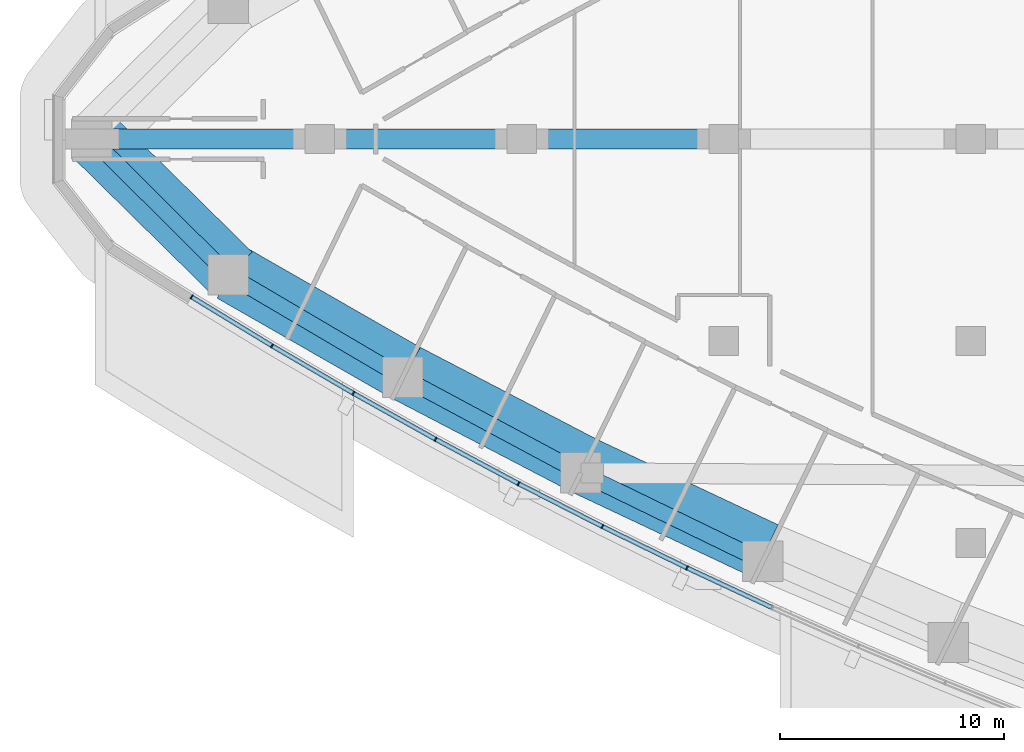
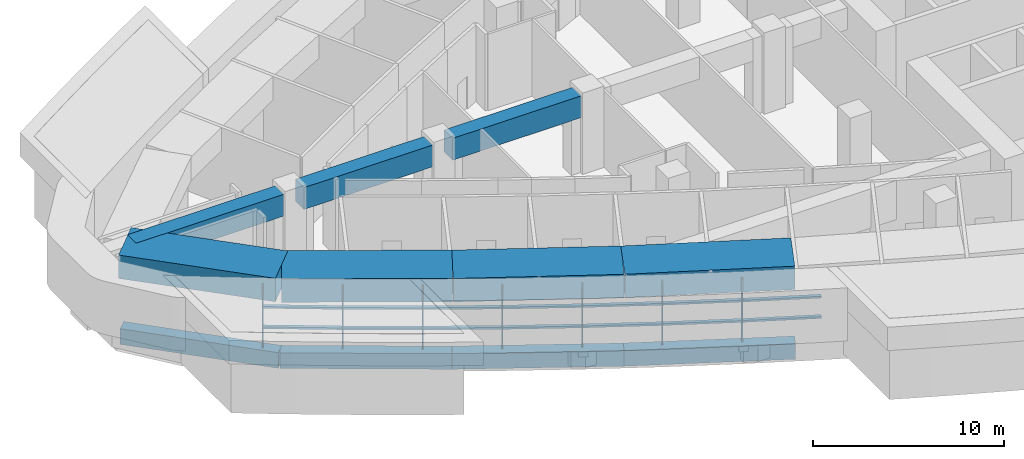
# One storey, part 2 of 17: 21 members, 11 beams, 3 elements without a shape of their own.
"""IFC4 building model written with IfcOpenShell, lengths in metres."""

from ifc_helpers import new_model, si_unit, direction, frame, origin, origin_2d, place, context, subcontext, project, spatial, rectangle, extrude, material, layer, layer_set, material_profile, profile_set, type_object, element, aggregate, save


model = new_model("IFC4")

# Units and contexts
model_context = context("Model", 3, precision=1e-05, world=origin(), true_north=direction((0.0, 1.0)))
body_context = subcontext(model_context, "Body", "Model", "MODEL_VIEW")
ifc_project = project(units=[si_unit("LENGTHUNIT", "METRE"), si_unit("AREAUNIT", "SQUARE_METRE"), si_unit("VOLUMEUNIT", "CUBIC_METRE"), si_unit("PLANEANGLEUNIT", "RADIAN"), si_unit("MASSUNIT", "GRAM", prefix="KILO")], contexts=[model_context])

# Site, building, storey
site_placement = place(None, origin())
site = spatial("IfcSite", under=ifc_project, at=site_placement, CompositionType="ELEMENT")
building_placement = place(site_placement, origin())
building = spatial("IfcBuilding", under=site, at=building_placement, Name="Ostrand Prow Hotel Tower", CompositionType="ELEMENT")
storey_placement = place(building_placement, frame((0.0, 0.0, 75.10009765625)))
storey = spatial("IfcBuildingStorey", under=building, at=storey_placement, Name="L17", CompositionType="ELEMENT", Elevation=75.10009765625)

# Beams
ifc_material_1 = material(Name="Concrete C80/95", Category="concrete")
ifc_material_profile_1 = material_profile(ifc_material_1, rectangle(XDim=2.60009765625, YDim=1.5, at=origin_2d()), Name="RC 2600x1500")
ifc_profile_set_1 = profile_set([ifc_material_profile_1], Name="Concrete C80/95")
beam_type_1 = type_object("IfcBeamType", Name="Belt girder 2600x1500 C80/95", PredefinedType="BEAM", material=ifc_profile_set_1)
beam_1_placement = place(storey_placement, frame((6.020751953125, 0.0, 4.14990234375), z_axis=(0.712632252093, -0.701537791767, 0.0), x_axis=(0.701537791767, 0.712632252093, 0.0)))
element("IfcBeam", 1, at=beam_1_placement, inside=storey, type_object=beam_type_1, Name="Belt girder P-S1", PredefinedType="BEAM", context=body_context, shape_type="SweptSolid", body=[
    extrude(rectangle(XDim=2.60009765625, YDim=1.5, at=origin_2d()), origin(), (0.0, 0.0, 1.0), 8.494140625),
])
beam_2_placement = place(storey_placement, frame((12.073974609375, -5.958984375, 4.14990234375), z_axis=(0.867604357802, -0.497255144089, 0.0), x_axis=(0.497255144089, 0.867604357802, 0.0)))
element("IfcBeam", 2, at=beam_2_placement, inside=storey, type_object=beam_type_1, Name="Belt girder S1-S2", PredefinedType="BEAM", context=body_context, shape_type="SweptSolid", body=[
    extrude(rectangle(XDim=2.60009765625, YDim=1.5, at=origin_2d()), origin(), (0.0, 0.0, 1.0), 8.947509765625),
])
beam_3_placement = place(storey_placement, frame((19.8369140625, -10.408203125, 4.14990234375), z_axis=(0.886797371481, -0.46215843813, 0.0), x_axis=(0.46215843813, 0.886797371481, 0.0)))
element("IfcBeam", 3, at=beam_3_placement, inside=storey, type_object=beam_type_1, Name="Belt girder S2-S3", PredefinedType="BEAM", context=body_context, shape_type="SweptSolid", body=[
    extrude(rectangle(XDim=2.60009765625, YDim=1.5, at=origin_2d()), origin(), (0.0, 0.0, 1.0), 8.947265625),
])
beam_4_placement = place(storey_placement, frame((27.771240234375, -14.543212890625, 4.14990234375), z_axis=(0.904560671273, -0.426344921379, 0.0), x_axis=(0.426344921379, 0.904560671273, 0.0)))
element("IfcBeam", 4, at=beam_4_placement, inside=storey, type_object=beam_type_1, Name="Belt girder S3-S4", PredefinedType="BEAM", context=body_context, shape_type="SweptSolid", body=[
    extrude(rectangle(XDim=2.60009765625, YDim=1.5, at=origin_2d()), origin(), (0.0, 0.0, 1.0), 8.947509765625),
])
ifc_material_2 = material(Name="Concrete C80/95", Category="concrete")
ifc_material_profile_2 = material_profile(ifc_material_2, rectangle(XDim=0.699951171875, YDim=1.0, at=origin_2d()), Name="RC 700x1000")
ifc_profile_set_2 = profile_set([ifc_material_profile_2], Name="Concrete C80/95")
beam_type_2 = type_object("IfcBeamType", Name="Edge beam 700x1000 C80/95", PredefinedType="SPANDREL", material=ifc_profile_set_2)
beam_5_placement = place(storey_placement, frame((5.848388671875, 0.0, -0.900146484375), z_axis=(0.709211674915, -0.70499560294, 0.0), x_axis=(0.70499560294, 0.709211674915, 0.0)))
element("IfcBeam", 5, at=beam_5_placement, inside=storey, type_object=beam_type_2, Name="Edge beam P-S1", PredefinedType="SPANDREL", context=body_context, shape_type="SweptSolid", body=[
    extrude(rectangle(XDim=0.699951171875, YDim=1.0, at=origin_2d()), origin(), (0.0, 0.0, 1.0), 8.5703125),
])
beam_6_placement = place(storey_placement, frame((11.926513671875, -6.0419921875, -0.900146484375), z_axis=(0.861725230108, -0.507375233722, 0.0), x_axis=(0.507375233722, 0.861725230108, 0.0)))
element("IfcBeam", 6, at=beam_6_placement, inside=storey, type_object=beam_type_2, Name="Edge beam S1-S2", PredefinedType="SPANDREL", context=body_context, shape_type="SweptSolid", body=[
    extrude(rectangle(XDim=0.699951171875, YDim=1.0, at=origin_2d()), origin(), (0.0, 0.0, 1.0), 9.012451171875),
])
beam_7_placement = place(storey_placement, frame((19.69287109375, -10.61474609375, -0.900146484375), z_axis=(0.881270074696, -0.472613008122, 0.0), x_axis=(0.472613008122, 0.881270074696, 0.0)))
element("IfcBeam", 7, at=beam_7_placement, inside=storey, type_object=beam_type_2, Name="Edge beam S2-S3", PredefinedType="SPANDREL", context=body_context, shape_type="SweptSolid", body=[
    extrude(rectangle(XDim=0.699951171875, YDim=1.0, at=origin_2d()), origin(), (0.0, 0.0, 1.0), 9.0126953125),
])
beam_8_placement = place(storey_placement, frame((27.635498046875, -14.874267578125, -0.900146484375), z_axis=(0.899382499202, -0.437162578601, 0.0), x_axis=(0.437162578601, 0.899382499202, 0.0)))
element("IfcBeam", 8, at=beam_8_placement, inside=storey, type_object=beam_type_2, Name="Edge beam S3-S4", PredefinedType="SPANDREL", context=body_context, shape_type="SweptSolid", body=[
    extrude(rectangle(XDim=0.699951171875, YDim=1.0, at=origin_2d()), origin(), (0.0, 0.0, 1.0), 9.012451171875),
])

# Curtain wall, members
ifc_material_3 = material(Name="Insulated glass in bronze anodised frame", Category="glass")
ifc_layer = layer(ifc_material_3, 0.199951171875)
ifc_layer_set = layer_set([ifc_layer], Name="Insulated glass in bronze anodised frame")
curtain_wall_type = type_object("IfcCurtainWallType", Name="Plant storey louvre wall", PredefinedType="NOTDEFINED", material=ifc_layer_set)
curtain_wall_1_placement = place(storey_placement, origin())
curtain_wall_1 = element("IfcCurtainWall", 9, at=curtain_wall_1_placement, inside=storey, type_object=curtain_wall_type, Name="CW7 run CWS1", PredefinedType="NOTDEFINED")
ifc_material_4 = material(Name="Bronze anodised aluminium", Category="aluminium")
ifc_material_profile_3 = material_profile(ifc_material_4, rectangle(XDim=0.199951171875, YDim=0.06005859375, at=origin_2d()), Name="Mullion 60x200 bronze anodised aluminium")
ifc_profile_set_3 = profile_set([ifc_material_profile_3], Name="Bronze anodised aluminium")
member_type_1 = type_object("IfcMemberType", Name="Mullion 60x200 bronze anodised aluminium", PredefinedType="MULLION", material=ifc_profile_set_3)
member_1_placement = place(storey_placement, frame((10.29443359375, -7.031494140625, 0.89990234375), z_axis=(0.0, 0.0, 1.0), x_axis=(0.519830761515, 0.854269266322, 0.0)))
member_1 = element("IfcMember", 10, at=member_1_placement, type_object=member_type_1, Name="CW7 mullion 1", PredefinedType="MULLION", context=body_context, shape_type="SweptSolid", body=[
    extrude(rectangle(XDim=0.199951171875, YDim=0.06005859375, at=origin_2d()), origin(), (0.0, 0.0, 1.0), 4.0),
])
member_2_placement = place(storey_placement, frame((13.87744140625, -9.2119140625, 0.89990234375), z_axis=(0.0, 0.0, 1.0), x_axis=(0.50402272292, 0.863690392896, 0.0)))
member_2 = element("IfcMember", 11, at=member_2_placement, type_object=member_type_1, Name="CW7 mullion 2", PredefinedType="MULLION", context=body_context, shape_type="SweptSolid", body=[
    extrude(rectangle(XDim=0.199951171875, YDim=0.06005859375, at=origin_2d()), origin(), (0.0, 0.0, 1.0), 4.0),
])
member_3_placement = place(storey_placement, frame((17.5, -11.325927734375, 0.89990234375), z_axis=(0.0, 0.0, 1.0), x_axis=(0.50402272292, 0.863690392896, 0.0)))
member_3 = element("IfcMember", 12, at=member_3_placement, type_object=member_type_1, Name="CW7 mullion 3", PredefinedType="MULLION", context=body_context, shape_type="SweptSolid", body=[
    extrude(rectangle(XDim=0.199951171875, YDim=0.06005859375, at=origin_2d()), origin(), (0.0, 0.0, 1.0), 4.0),
])

curtain_wall_2_placement = place(storey_placement, origin())
curtain_wall_2 = element("IfcCurtainWall", 13, at=curtain_wall_2_placement, inside=storey, type_object=curtain_wall_type, Name="CW7 run CWS2", PredefinedType="NOTDEFINED")
member_4_placement = place(storey_placement, frame((21.160888671875, -13.372802734375, 0.89990234375), z_axis=(0.0, 0.0, 1.0), x_axis=(0.471899992481, 0.881652083929, 0.0)))
member_4 = element("IfcMember", 14, at=member_4_placement, type_object=member_type_1, Name="CW7 mullion 2", PredefinedType="MULLION", context=body_context, shape_type="SweptSolid", body=[
    extrude(rectangle(XDim=0.199951171875, YDim=0.06005859375, at=origin_2d()), origin(), (0.0, 0.0, 1.0), 4.0),
])
member_5_placement = place(storey_placement, frame((24.858642578125, -15.35205078125, 0.89990234375), z_axis=(0.0, 0.0, 1.0), x_axis=(0.455596179055, 0.890186565631, 0.0)))
member_5 = element("IfcMember", 15, at=member_5_placement, type_object=member_type_1, Name="CW7 mullion 3", PredefinedType="MULLION", context=body_context, shape_type="SweptSolid", body=[
    extrude(rectangle(XDim=0.199951171875, YDim=0.06005859375, at=origin_2d()), origin(), (0.0, 0.0, 1.0), 4.0),
])
member_6_placement = place(storey_placement, frame((28.59228515625, -17.262939453125, 0.89990234375), z_axis=(0.0, 0.0, 1.0), x_axis=(0.455596179055, 0.890186565631, 0.0)))
member_6 = element("IfcMember", 16, at=member_6_placement, type_object=member_type_1, Name="CW7 mullion 4", PredefinedType="MULLION", context=body_context, shape_type="SweptSolid", body=[
    extrude(rectangle(XDim=0.199951171875, YDim=0.06005859375, at=origin_2d()), origin(), (0.0, 0.0, 1.0), 4.0),
])

# Curtain wall, member
curtain_wall_3_placement = place(storey_placement, origin())
curtain_wall_3 = element("IfcCurtainWall", 17, at=curtain_wall_3_placement, inside=storey, type_object=curtain_wall_type, Name="CW7 run CWS3", PredefinedType="NOTDEFINED")
member_7_placement = place(storey_placement, frame((32.360595703125, -19.10498046875, 0.89990234375), z_axis=(0.0, 0.0, 1.0), x_axis=(0.422529678615, 0.906349088757, 0.0)))
member_7 = element("IfcMember", 18, at=member_7_placement, type_object=member_type_1, Name="CW7 mullion 2", PredefinedType="MULLION", context=body_context, shape_type="SweptSolid", body=[
    extrude(rectangle(XDim=0.199951171875, YDim=0.06005859375, at=origin_2d()), origin(), (0.0, 0.0, 1.0), 4.0),
])

# Beams
ifc_material_5 = material(Name="Concrete C80/95", Category="concrete")
ifc_material_profile_4 = material_profile(ifc_material_5, rectangle(XDim=0.89990234375, YDim=1.39990234375, at=origin_2d()), Name="RC 900x1400")
ifc_profile_set_4 = profile_set([ifc_material_profile_4], Name="Concrete C80/95")
beam_type_3 = type_object("IfcBeamType", Name="Outrigger lintel 900x1400 C80/95", PredefinedType="LINTEL", material=ifc_profile_set_4)
beam_9_placement = place(storey_placement, frame((6.448486328125, 0.0, 4.199951171875), z_axis=(1.0, 0.0, 0.0), x_axis=(0.0, 1.0, 0.0)))
element("IfcBeam", 19, at=beam_9_placement, inside=storey, type_object=beam_type_3, Name="Outrigger lintel A1", PredefinedType="LINTEL", context=body_context, shape_type="SweptSolid", body=[
    extrude(rectangle(XDim=0.89990234375, YDim=1.39990234375, at=origin_2d()), origin(), (0.0, 0.0, 1.0), 8.951416015625),
])
for number, where, z_axis, x_axis, name in (
    (20, (16.60009765625, 0.0, 4.199951171875), (1.0, 0.0, 0.0), (0.0, 1.0, 0.0), "Outrigger lintel A2"),
    (21, (25.60009765625, 0.0, 4.199951171875), (1.0, 0.0, 0.0), (0.0, 1.0, 0.0), "Outrigger lintel A3"),
):
    element("IfcBeam", number, at=place(storey_placement, frame(where, z_axis=z_axis, x_axis=x_axis)), inside=storey, type_object=beam_type_3, Name=name, PredefinedType="LINTEL", context=body_context, shape_type="SweptSolid", body=[
        extrude(rectangle(XDim=0.89990234375, YDim=1.39990234375, at=origin_2d()), origin(), (0.0, 0.0, 1.0), 7.7998046875),
    ])

# Member
ifc_material_6 = material(Name="Bronze anodised aluminium", Category="aluminium")
ifc_material_profile_5 = material_profile(ifc_material_6, rectangle(XDim=0.199951171875, YDim=0.1201171875, at=origin_2d()), Name="Transom 120x200 bronze anodised aluminium")
ifc_profile_set_5 = profile_set([ifc_material_profile_5], Name="Bronze anodised aluminium")
member_type_2 = type_object("IfcMemberType", Name="Transom 120x200 bronze anodised aluminium", PredefinedType="USERDEFINED", material=ifc_profile_set_5)
member_8_placement = place(storey_placement, frame((10.320068359375, -7.047119140625, 2.199951171875), z_axis=(0.8542612678, -0.519843905741, 0.0), x_axis=(0.519843905741, 0.8542612678, 0.0)))
member_8 = element("IfcMember", 22, at=member_8_placement, type_object=member_type_2, Name="CW7 transom 1.1", ObjectType="TRANSOM", PredefinedType="USERDEFINED", context=body_context, shape_type="SweptSolid", body=[
    extrude(rectangle(XDim=0.199951171875, YDim=0.1201171875, at=origin_2d()), origin(), (0.0, 0.0, 1.0), 4.13427734375),
])

member_9_placement = place(storey_placement, frame((10.320068359375, -7.047119140625, 3.5), z_axis=(0.8542612678, -0.519843905741, 0.0), x_axis=(0.519843905741, 0.8542612678, 0.0)))
member_9 = element("IfcMember", 23, at=member_9_placement, type_object=member_type_2, Name="CW7 transom 1.2", ObjectType="TRANSOM", PredefinedType="USERDEFINED", context=body_context, shape_type="SweptSolid", body=[
    extrude(rectangle(XDim=0.199951171875, YDim=0.1201171875, at=origin_2d()), origin(), (0.0, 0.0, 1.0), 4.13427734375),
])

member_10_placement = place(storey_placement, frame((13.9033203125, -9.22705078125, 2.199951171875), z_axis=(0.863697501622, -0.504010541251, 0.0), x_axis=(0.504010541251, 0.863697501622, 0.0)))
member_10 = element("IfcMember", 24, at=member_10_placement, type_object=member_type_2, Name="CW7 transom 2.1", ObjectType="TRANSOM", PredefinedType="USERDEFINED", context=body_context, shape_type="SweptSolid", body=[
    extrude(rectangle(XDim=0.199951171875, YDim=0.1201171875, at=origin_2d()), origin(), (0.0, 0.0, 1.0), 4.13427734375),
])

member_11_placement = place(storey_placement, frame((13.9033203125, -9.22705078125, 3.5), z_axis=(0.863697501622, -0.504010541251, 0.0), x_axis=(0.504010541251, 0.863697501622, 0.0)))
member_11 = element("IfcMember", 25, at=member_11_placement, type_object=member_type_2, Name="CW7 transom 2.2", ObjectType="TRANSOM", PredefinedType="USERDEFINED", context=body_context, shape_type="SweptSolid", body=[
    extrude(rectangle(XDim=0.199951171875, YDim=0.1201171875, at=origin_2d()), origin(), (0.0, 0.0, 1.0), 4.13427734375),
])

aggregate(curtain_wall_1, [member_1, member_2, member_3, member_8, member_9, member_10, member_11])

member_12_placement = place(storey_placement, frame((17.526123046875, -11.340576171875, 2.199951171875), z_axis=(0.872842137405, -0.488002667175, 0.0), x_axis=(0.488002667175, 0.872842137405, 0.0)))
member_12 = element("IfcMember", 26, at=member_12_placement, type_object=member_type_2, Name="CW7 transom 1.1", ObjectType="TRANSOM", PredefinedType="USERDEFINED", context=body_context, shape_type="SweptSolid", body=[
    extrude(rectangle(XDim=0.199951171875, YDim=0.1201171875, at=origin_2d()), origin(), (0.0, 0.0, 1.0), 4.13427734375),
])

member_13_placement = place(storey_placement, frame((17.526123046875, -11.340576171875, 3.5), z_axis=(0.872842137405, -0.488002667175, 0.0), x_axis=(0.488002667175, 0.872842137405, 0.0)))
member_13 = element("IfcMember", 27, at=member_13_placement, type_object=member_type_2, Name="CW7 transom 1.2", ObjectType="TRANSOM", PredefinedType="USERDEFINED", context=body_context, shape_type="SweptSolid", body=[
    extrude(rectangle(XDim=0.199951171875, YDim=0.1201171875, at=origin_2d()), origin(), (0.0, 0.0, 1.0), 4.13427734375),
])

member_14_placement = place(storey_placement, frame((21.187255859375, -13.386962890625, 2.199951171875), z_axis=(0.881657241639, -0.471890356191, 0.0), x_axis=(0.471890356191, 0.881657241639, 0.0)))
member_14 = element("IfcMember", 28, at=member_14_placement, type_object=member_type_2, Name="CW7 transom 2.1", ObjectType="TRANSOM", PredefinedType="USERDEFINED", context=body_context, shape_type="SweptSolid", body=[
    extrude(rectangle(XDim=0.199951171875, YDim=0.1201171875, at=origin_2d()), origin(), (0.0, 0.0, 1.0), 4.13427734375),
])

member_15_placement = place(storey_placement, frame((21.187255859375, -13.386962890625, 3.5), z_axis=(0.881657241639, -0.471890356191, 0.0), x_axis=(0.471890356191, 0.881657241639, 0.0)))
member_15 = element("IfcMember", 29, at=member_15_placement, type_object=member_type_2, Name="CW7 transom 2.2", ObjectType="TRANSOM", PredefinedType="USERDEFINED", context=body_context, shape_type="SweptSolid", body=[
    extrude(rectangle(XDim=0.199951171875, YDim=0.1201171875, at=origin_2d()), origin(), (0.0, 0.0, 1.0), 4.13427734375),
])

member_16_placement = place(storey_placement, frame((24.885498046875, -15.36572265625, 2.199951171875), z_axis=(0.890182999343, -0.455603147136, 0.0), x_axis=(0.455603147136, 0.890182999343, 0.0)))
member_16 = element("IfcMember", 30, at=member_16_placement, type_object=member_type_2, Name="CW7 transom 3.1", ObjectType="TRANSOM", PredefinedType="USERDEFINED", context=body_context, shape_type="SweptSolid", body=[
    extrude(rectangle(XDim=0.199951171875, YDim=0.1201171875, at=origin_2d()), origin(), (0.0, 0.0, 1.0), 4.13427734375),
])

member_17_placement = place(storey_placement, frame((24.885498046875, -15.36572265625, 3.5), z_axis=(0.890182999343, -0.455603147136, 0.0), x_axis=(0.455603147136, 0.890182999343, 0.0)))
member_17 = element("IfcMember", 31, at=member_17_placement, type_object=member_type_2, Name="CW7 transom 3.2", ObjectType="TRANSOM", PredefinedType="USERDEFINED", context=body_context, shape_type="SweptSolid", body=[
    extrude(rectangle(XDim=0.199951171875, YDim=0.1201171875, at=origin_2d()), origin(), (0.0, 0.0, 1.0), 4.13427734375),
])

aggregate(curtain_wall_2, [member_4, member_5, member_6, member_12, member_13, member_14, member_15, member_16, member_17])

member_18_placement = place(storey_placement, frame((28.619384765625, -17.276123046875, 2.199951171875), z_axis=(0.898395234758, -0.439187889364, 0.0), x_axis=(0.439187889364, 0.898395234758, 0.0)))
member_18 = element("IfcMember", 32, at=member_18_placement, type_object=member_type_2, Name="CW7 transom 1.1", ObjectType="TRANSOM", PredefinedType="USERDEFINED", context=body_context, shape_type="SweptSolid", body=[
    extrude(rectangle(XDim=0.199951171875, YDim=0.1201171875, at=origin_2d()), origin(), (0.0, 0.0, 1.0), 4.13427734375),
])

member_19_placement = place(storey_placement, frame((28.619384765625, -17.276123046875, 3.5), z_axis=(0.898395234758, -0.439187889364, 0.0), x_axis=(0.439187889364, 0.898395234758, 0.0)))
member_19 = element("IfcMember", 33, at=member_19_placement, type_object=member_type_2, Name="CW7 transom 1.2", ObjectType="TRANSOM", PredefinedType="USERDEFINED", context=body_context, shape_type="SweptSolid", body=[
    extrude(rectangle(XDim=0.199951171875, YDim=0.1201171875, at=origin_2d()), origin(), (0.0, 0.0, 1.0), 4.13427734375),
])

member_20_placement = place(storey_placement, frame((32.3876953125, -19.117431640625, 2.199951171875), z_axis=(0.906338458793, -0.422552479714, 0.0), x_axis=(0.422552479714, 0.906338458793, 0.0)))
member_20 = element("IfcMember", 34, at=member_20_placement, type_object=member_type_2, Name="CW7 transom 2.1", ObjectType="TRANSOM", PredefinedType="USERDEFINED", context=body_context, shape_type="SweptSolid", body=[
    extrude(rectangle(XDim=0.199951171875, YDim=0.1201171875, at=origin_2d()), origin(), (0.0, 0.0, 1.0), 4.134521484375),
])

member_21_placement = place(storey_placement, frame((32.3876953125, -19.117431640625, 3.5), z_axis=(0.906338458793, -0.422552479714, 0.0), x_axis=(0.422552479714, 0.906338458793, 0.0)))
member_21 = element("IfcMember", 35, at=member_21_placement, type_object=member_type_2, Name="CW7 transom 2.2", ObjectType="TRANSOM", PredefinedType="USERDEFINED", context=body_context, shape_type="SweptSolid", body=[
    extrude(rectangle(XDim=0.199951171875, YDim=0.1201171875, at=origin_2d()), origin(), (0.0, 0.0, 1.0), 4.134521484375),
])

aggregate(curtain_wall_3, [member_7, member_18, member_19, member_20, member_21])

save(model, "model.ifc")
